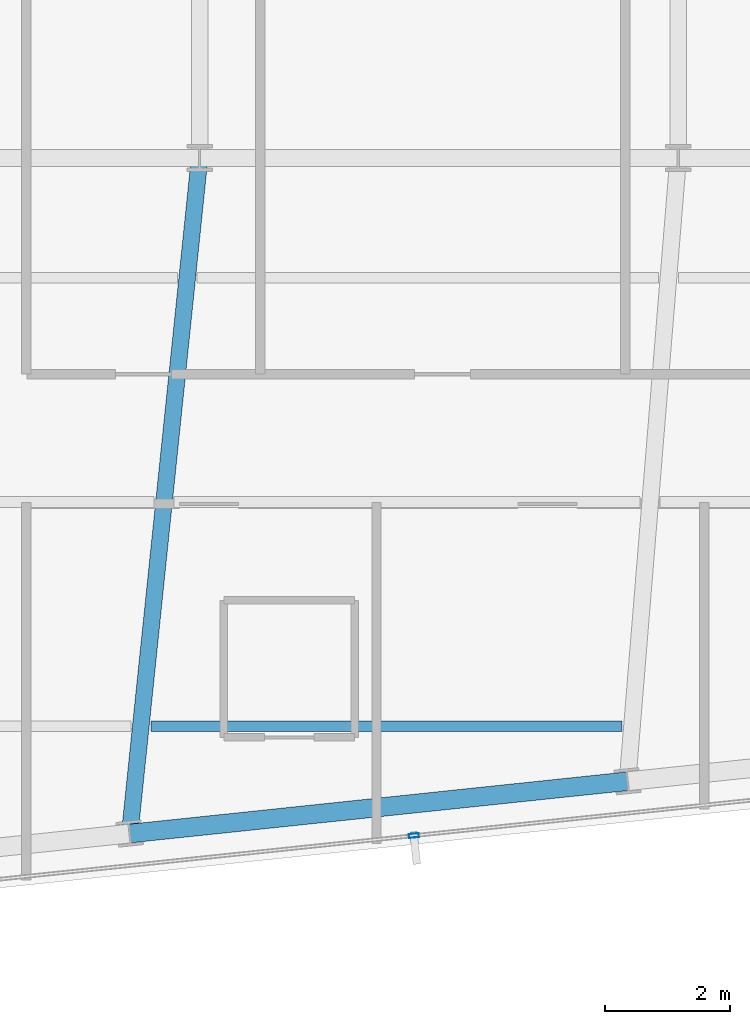
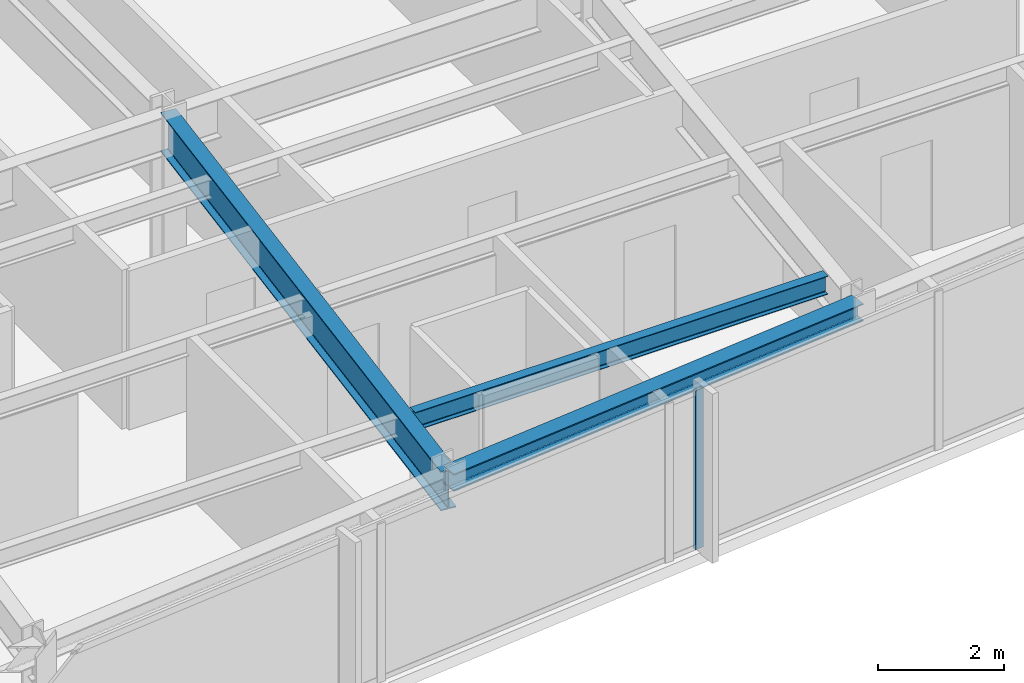
# One storey, part 8 of 32: 3 beams, 1 member, 1 element without a shape of its own.
"""IFC4 building model written with IfcOpenShell, lengths in metres."""

from ifc_helpers import new_model, si_unit, direction, frame, origin, origin_2d, place, context, subcontext, project, spatial, hollow_rectangle, i_section, extrude, material, material_profile, profile_set, type_object, element, aggregate, save


model = new_model("IFC4")

# Units and contexts
model_context = context("Model", 3, precision=1e-05, world=origin(), true_north=direction((0.0, 1.0)))
body_context = subcontext(model_context, "Body", "Model", "MODEL_VIEW")
ifc_project = project(units=[si_unit("LENGTHUNIT", "METRE"), si_unit("AREAUNIT", "SQUARE_METRE"), si_unit("VOLUMEUNIT", "CUBIC_METRE"), si_unit("PLANEANGLEUNIT", "RADIAN"), si_unit("MASSUNIT", "GRAM", prefix="KILO")], contexts=[model_context])

# Site, building, storey
site_placement = place(None, origin())
site = spatial("IfcSite", under=ifc_project, at=site_placement, CompositionType="ELEMENT")
building_placement = place(site_placement, origin())
building = spatial("IfcBuilding", under=site, at=building_placement, Name="Yelkora Congress Tower", CompositionType="ELEMENT")
storey_placement = place(building_placement, frame((0.0, 0.0, 211.10009765625)))
storey = spatial("IfcBuildingStorey", under=building, at=storey_placement, Name="L58", CompositionType="ELEMENT", Elevation=211.10009765625)

# Beams
ifc_material_1 = material(Name="Steel S355J2", Category="steel")
ifc_material_profile_1 = material_profile(ifc_material_1, i_section(OverallWidth=0.26708984375, OverallDepth=0.761962890625, WebThickness=0.014404296875, FlangeThickness=0.021484375, FilletRadius=0.01708984375, at=origin_2d()), Name="IPE 750x173")
ifc_profile_set_1 = profile_set([ifc_material_profile_1], Name="Steel S355J2")
beam_type_1 = type_object("IfcBeamType", Name="BM-GIRD-IPE750", PredefinedType="BEAM", material=ifc_profile_set_1)
beam_1_placement = place(storey_placement, frame((37.277587890625, 14.35791015625, 2.698974609375), z_axis=(0.102964870035, 0.99468499312, 0.0), x_axis=(-0.99468499312, 0.102964870035, 0.0)))
element("IfcBeam", 1, at=beam_1_placement, inside=storey, type_object=beam_type_1, Name="L58 Primary Frame Girder S03", PredefinedType="BEAM", context=body_context, shape_type="SweptSolid", body=[
    extrude(i_section(OverallWidth=0.26708984375, OverallDepth=0.761962890625, WebThickness=0.014404296875, FlangeThickness=0.021484375, FilletRadius=0.01708984375, at=origin_2d()), origin(), (0.0, 0.0, 1.0), 10.89990234375),
])
ifc_material_profile_2 = material_profile(ifc_material_1, i_section(OverallWidth=0.169921875, OverallDepth=0.360107421875, WebThickness=0.008056640625, FlangeThickness=0.0126953125, FilletRadius=0.01806640625, at=origin_2d()), Name="IPE 360")
ifc_profile_set_2 = profile_set([ifc_material_profile_2], Name="Steel S355J2")
beam_type_2 = type_object("IfcBeamType", Name="BM-JOIST-IPE360", PredefinedType="JOIST", material=ifc_profile_set_2)
beam_2_placement = place(storey_placement, frame((37.61572265625, 16.07861328125, 2.89990234375), z_axis=(1.0, 0.0, 0.0), x_axis=(0.0, 1.0, 0.0)))
element("IfcBeam", 2, at=beam_2_placement, inside=storey, type_object=beam_type_2, Name="L58 Composite Floor Joist 2", PredefinedType="JOIST", context=body_context, shape_type="SweptSolid", body=[
    extrude(i_section(OverallWidth=0.169921875, OverallDepth=0.360107421875, WebThickness=0.008056640625, FlangeThickness=0.0126953125, FilletRadius=0.01806640625, at=origin_2d()), origin(), (0.0, 0.0, 1.0), 7.56298828125),
])
ifc_material_profile_3 = material_profile(ifc_material_1, i_section(OverallWidth=0.300048828125, OverallDepth=0.340087890625, WebThickness=0.011962890625, FlangeThickness=0.021484375, FilletRadius=0.027099609375, at=origin_2d()), Name="HEB 340")
ifc_profile_set_3 = profile_set([ifc_material_profile_3], Name="Steel S355J2")
beam_type_3 = type_object("IfcBeamType", Name="BM-SPAN-HEB340", PredefinedType="SPANDREL", material=ifc_profile_set_3)
beam_3_placement = place(storey_placement, frame((37.277587890625, 14.35791015625, 2.909912109375), z_axis=(0.99452358891, 0.104512349038, 0.0), x_axis=(-0.104512349038, 0.99452358891, 0.0)))
element("IfcBeam", 3, at=beam_3_placement, inside=storey, type_object=beam_type_3, Name="L58 Perimeter Beam 5", PredefinedType="SPANDREL", context=body_context, shape_type="SweptSolid", body=[
    extrude(i_section(OverallWidth=0.300048828125, OverallDepth=0.340087890625, WebThickness=0.011962890625, FlangeThickness=0.021484375, FilletRadius=0.027099609375, at=origin_2d()), origin(), (0.0, 0.0, 1.0), 8.033447265625),
])

# Curtain wall, member
ifc_material_2 = material(Name="Anodised aluminium and insulated glass", Category="aluminium")
curtain_wall_type = type_object("IfcCurtainWallType", Name="CW-SYS-B4", PredefinedType="NOTDEFINED", material=ifc_material_2)
curtain_wall_placement = place(storey_placement, origin())
curtain_wall = element("IfcCurtainWall", 4, at=curtain_wall_placement, inside=storey, type_object=curtain_wall_type, Name="L58 Unitised Curtain Wall 20", PredefinedType="NOTDEFINED")
ifc_material_3 = material(Name="Anodised aluminium 6063-T6", Category="aluminium")
ifc_material_profile_4 = material_profile(ifc_material_3, hollow_rectangle(XDim=0.06494140625, YDim=0.159912109375, WallThickness=0.00390625, at=origin_2d()), Name="ALU 65x160x4")
ifc_profile_set_4 = profile_set([ifc_material_profile_4], Name="Anodised aluminium 6063-T6")
member_type = type_object("IfcMemberType", Name="MEM-ML-B4", PredefinedType="MULLION", material=ifc_profile_set_4)
member_placement = place(storey_placement, frame((41.838134765625, 14.324462890625, 0.0), z_axis=(0.0, 0.0, 1.0), x_axis=(0.104526664994, -0.994522084373, 0.0)))
member = element("IfcMember", 5, at=member_placement, type_object=member_type, Name="CW-B4 mullion 5", PredefinedType="MULLION", context=body_context, shape_type="SweptSolid", body=[
    extrude(hollow_rectangle(XDim=0.06494140625, YDim=0.159912109375, WallThickness=0.00390625, at=origin_2d()), origin(), (0.0, 0.0, 1.0), 3.079833984375),
])
aggregate(curtain_wall, [member])

save(model, "model.ifc")
